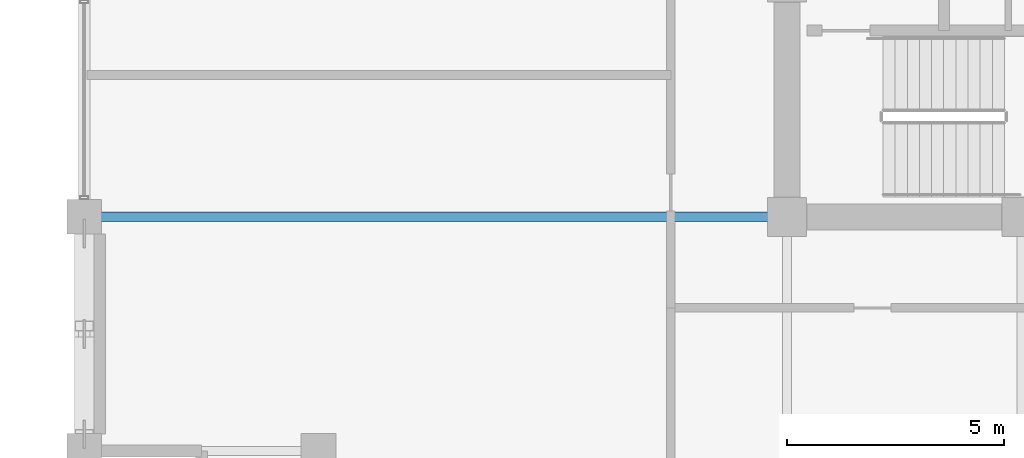
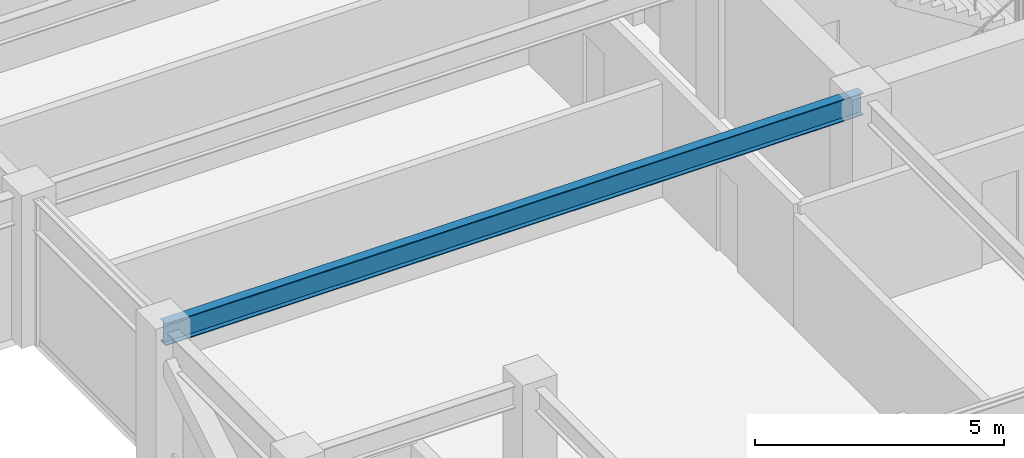
# One storey, part 5 of 30: 1 beam.
"""IFC4 building model written with IfcOpenShell, lengths in metres."""

import ifcopenshell
import ifcopenshell.guid

model = None  # the IFC model being written
_history = None  # IfcOwnerHistory: only IFC2X3 demands one
_inside = {}  # id of a spatial element -> (the spatial element, [elements in it])
_under = {}  # id of a project, library or spatial element -> (it, [spatial elements below it])
_declared = {}  # id of a project -> (the project, [libraries it declares])
_typed = {}  # id of a type object -> (the type object, [elements of that type])
_made_of = {}  # id of a material, layer set ... -> (it, [elements and type objects made of it])


def new_model(schema):
    """Start an empty IFC model of exactly this schema.

    Asked for "IFC4X3", IfcOpenShell would pick the latest addendum, in which some entities
    have other attributes; the version numbers below select the first issue.
    IFC2X3 requires an IfcOwnerHistory on every rooted entity: one is made here for all.
    """
    global model, _history
    if schema == "IFC4X3":
        model = ifcopenshell.file(schema_version=(4, 3, 0, 0))
    else:
        model = ifcopenshell.file(schema=schema)
    _inside.clear()
    _under.clear()
    _declared.clear()
    _typed.clear()
    _made_of.clear()
    _history = None
    if model.schema == "IFC2X3":
        org = make("IfcOrganization", Name="unknown")
        user = make(
            "IfcPersonAndOrganization",
            ThePerson=make("IfcPerson", FamilyName="unknown"),
            TheOrganization=org,
        )
        app = make(
            "IfcApplication",
            ApplicationDeveloper=org,
            Version="unknown",
            ApplicationFullName="unknown",
            ApplicationIdentifier="unknown",
        )
        _history = make(
            "IfcOwnerHistory",
            OwningUser=user,
            OwningApplication=app,
            ChangeAction="ADDED",
            CreationDate=0,
        )
    return model


def make(cls, **values):
    """One entity of the class cls with the attributes given. An attribute that is None is left unset."""
    return model.create_entity(
        cls, **{name: value for name, value in values.items() if value is not None}
    )


def rooted(cls, **values):
    """An entity with a GlobalId (a new one), such as an element, a storey or a relation."""
    return make(cls, GlobalId=ifcopenshell.guid.new(), OwnerHistory=_history, **values)


def si_unit(unit_type, name, prefix=None):
    """IfcSIUnit, for example si_unit("LENGTHUNIT", "METRE", prefix="MILLI")."""
    return make("IfcSIUnit", UnitType=unit_type, Prefix=prefix, Name=name)


def assignment(units):
    """IfcUnitAssignment: the units of a project."""
    return None if units is None else make("IfcUnitAssignment", Units=units)


def point(xyz):
    """IfcCartesianPoint."""
    return None if xyz is None else make("IfcCartesianPoint", Coordinates=xyz)


def direction(xyz):
    """IfcDirection."""
    return None if xyz is None else make("IfcDirection", DirectionRatios=xyz)


def frame(location, z_axis=None, x_axis=None):
    """IfcAxis2Placement3D, a coordinate frame: its origin and axes. An axis left out is left unset."""
    return make(
        "IfcAxis2Placement3D",
        Location=point(location),
        Axis=direction(z_axis),
        RefDirection=direction(x_axis),
    )


def frame_2d(location, x_axis=None):
    """IfcAxis2Placement2D, a coordinate frame in the plane: its origin and x axis."""
    return make(
        "IfcAxis2Placement2D", Location=point(location), RefDirection=direction(x_axis)
    )


def origin():
    """The frame at (0, 0, 0) with its axes left unset."""
    return frame((0.0, 0.0, 0.0))


def origin_2d():
    """The frame at (0, 0) in the plane with its x axis left unset."""
    return frame_2d((0.0, 0.0))


def place(relative_to, where):
    """IfcLocalPlacement: puts the frame where relative to a parent placement (None: the world)."""
    return make(
        "IfcLocalPlacement", PlacementRelTo=relative_to, RelativePlacement=where
    )


def context(
    kind, dimensions, precision=None, world=None, true_north=None, identifier=None
):
    """IfcGeometricRepresentationContext, for example the 3D "Model" context."""
    return make(
        "IfcGeometricRepresentationContext",
        ContextIdentifier=identifier,
        ContextType=kind,
        CoordinateSpaceDimension=dimensions,
        Precision=precision,
        WorldCoordinateSystem=world,
        TrueNorth=true_north,
    )


def subcontext(parent, identifier, kind, view, scale=None):
    """IfcGeometricRepresentationSubContext, for example "Body" below "Model"."""
    return make(
        "IfcGeometricRepresentationSubContext",
        ContextIdentifier=identifier,
        ContextType=kind,
        ParentContext=parent,
        TargetScale=scale,
        TargetView=view,
    )


def project(units=None, contexts=None):
    """IfcProject with its units and contexts."""
    return rooted(
        "IfcProject",
        Name="project",
        RepresentationContexts=contexts,
        UnitsInContext=assignment(units),
    )


def spatial(cls, under=None, at=None, **own):
    """A site, building, storey or space (cls), placed at a placement, below another one or the project."""
    s = rooted(cls, ObjectPlacement=at, **own)
    if under is not None:
        _under.setdefault(under.id(), (under, []))[1].append(s)
    return s


def profile(cls, at=None, kind="AREA", **sizes):
    """A parametric profile (cls). Its sizes go by their IFC names, for example OverallWidth=200.0."""
    return make(cls, ProfileType=kind, Position=at, **sizes)


def i_section(**sizes):
    """IfcIShapeProfileDef."""
    return profile("IfcIShapeProfileDef", **sizes)


def extrude(swept, where, along, depth):
    """IfcExtrudedAreaSolid: the profile swept, set in the frame where, extruded along a direction by depth."""
    return make(
        "IfcExtrudedAreaSolid",
        SweptArea=swept,
        Position=where,
        ExtrudedDirection=direction(along),
        Depth=depth,
    )


def shape(context_of_items, identifier, shape_type, items):
    """IfcShapeRepresentation: the items that make up one representation, for example the "Body"."""
    return make(
        "IfcShapeRepresentation",
        ContextOfItems=context_of_items,
        RepresentationIdentifier=identifier,
        RepresentationType=shape_type,
        Items=items,
    )


def material(Name=None, Category=None):
    """IfcMaterial."""
    return make("IfcMaterial", Name=Name, Category=Category)


def material_profile(
    of_material, cross_section, Name=None, Category=None, Priority=None
):
    """IfcMaterialProfile: a cross section and its material."""
    return make(
        "IfcMaterialProfile",
        Name=Name,
        Material=of_material,
        Profile=cross_section,
        Priority=Priority,
        Category=Category,
    )


def profile_set(profiles, Name=None, composite=None):
    """IfcMaterialProfileSet."""
    return make(
        "IfcMaterialProfileSet",
        Name=Name,
        MaterialProfiles=profiles,
        CompositeProfile=composite,
    )


def made_of(thing, what):
    """Note that an element or type object is made of a material, layer set ...; save() writes the relation."""
    if what is not None:
        _made_of.setdefault(what.id(), (what, []))[1].append(thing)
    return thing


def type_object(cls, material=None, **own):
    """A type object (cls), such as IfcWallType, which elements share."""
    return made_of(rooted(cls, **own), material)


def element(
    cls,
    number,
    at=None,
    inside=None,
    cuts=None,
    type_object=None,
    material=None,
    context=None,
    identifier="Body",
    shape_type=None,
    held_by="IfcProductDefinitionShape",
    body=None,
    shapes=None,
    **own,
):
    """One element of the class cls, such as IfcWall. Its Tag is "e" and its number.

    at: its placement. inside: the storey or other place that contains it. cuts: it is an
    opening in that element (IfcRelVoidsElement). A single representation is given by context,
    identifier, shape_type and body (its items); several are given by shapes. held_by: the class
    of the entity that holds the representations. save() writes the other relations.
    """
    e = rooted(cls, Tag="e%d" % number, ObjectPlacement=at, **own)
    if body is not None:
        shapes = [shape(context, identifier, shape_type, body)]
    if shapes is not None:
        e.Representation = make(held_by, Representations=shapes)
    if inside is not None:
        _inside.setdefault(inside.id(), (inside, []))[1].append(e)
    if cuts is not None:
        rooted(
            "IfcRelVoidsElement", RelatingBuildingElement=cuts, RelatedOpeningElement=e
        )
    if type_object is not None:
        _typed.setdefault(type_object.id(), (type_object, []))[1].append(e)
    return made_of(e, material)


def aggregate(whole, parts):
    """IfcRelAggregates: a whole, such as a stair, and the parts it consists of."""
    return rooted("IfcRelAggregates", RelatingObject=whole, RelatedObjects=parts)


def save(model, path):
    """Write the relations noted so far, then the file.

    IfcRelAggregates (storeys below a building ...), IfcRelContainedInSpatialStructure (elements
    in a storey), IfcRelDefinesByType, IfcRelAssociatesMaterial and IfcRelDeclares: one each for
    every whole, place, type object, material and project.
    """
    for whole, parts in _under.values():
        aggregate(whole, parts)
    for where, things in _inside.values():
        rooted(
            "IfcRelContainedInSpatialStructure",
            RelatedElements=things,
            RelatingStructure=where,
        )
    for kind, things in _typed.values():
        rooted("IfcRelDefinesByType", RelatedObjects=things, RelatingType=kind)
    for what, things in _made_of.values():
        rooted("IfcRelAssociatesMaterial", RelatedObjects=things, RelatingMaterial=what)
    for by, libraries in _declared.values():
        rooted("IfcRelDeclares", RelatingContext=by, RelatedDefinitions=libraries)
    model.write(path)


model = new_model("IFC4")

# Units and contexts
model_context = context("Model", 3, precision=1e-05, world=origin(), true_north=direction((0.0, 1.0)))
body_context = subcontext(model_context, "Body", "Model", "MODEL_VIEW")
ifc_project = project(units=[si_unit("LENGTHUNIT", "METRE"), si_unit("AREAUNIT", "SQUARE_METRE"), si_unit("VOLUMEUNIT", "CUBIC_METRE"), si_unit("PLANEANGLEUNIT", "RADIAN"), si_unit("MASSUNIT", "GRAM", prefix="KILO")], contexts=[model_context])

# Site, building, storey
site_placement = place(None, origin())
site = spatial("IfcSite", under=ifc_project, at=site_placement, CompositionType="ELEMENT")
building_placement = place(site_placement, origin())
building = spatial("IfcBuilding", under=site, at=building_placement, Name="Surkhivell Harbour Commons", CompositionType="ELEMENT")
storey_placement = place(building_placement, frame((0.0, 0.0, 227.25)))
storey = spatial("IfcBuildingStorey", under=building, at=storey_placement, Name="L59", CompositionType="ELEMENT", Elevation=227.25)

# Beam
ifc_material = material(Name="Steel S355", Category="steel")
ifc_material_profile = material_profile(ifc_material, i_section(OverallWidth=0.2119140625, OverallDepth=0.5439453125, WebThickness=0.0126953125, FlangeThickness=0.021240234375, at=origin_2d()), Name="UB533x210x122")
ifc_profile_set = profile_set([ifc_material_profile], Name="Steel S355")
beam_type = type_object("IfcBeamType", Name="BM-GRD-533A", PredefinedType="BEAM", material=ifc_profile_set)
beam_placement = place(storey_placement, frame((-27.0, -10.800048828125, 3.298095703125), z_axis=(1.0, 0.0, 0.0), x_axis=(0.0, 1.0, 0.0)))
element("IfcBeam", 1, at=beam_placement, inside=storey, type_object=beam_type, Name="L59 Floor Girder (-27.0,-10.8)", PredefinedType="BEAM", context=body_context, shape_type="SweptSolid", body=[
    extrude(i_section(OverallWidth=0.2119140625, OverallDepth=0.5439453125, WebThickness=0.0126953125, FlangeThickness=0.021240234375, at=origin_2d()), origin(), (0.0, 0.0, 1.0), 16.199951171875),
])

save(model, "model.ifc")
